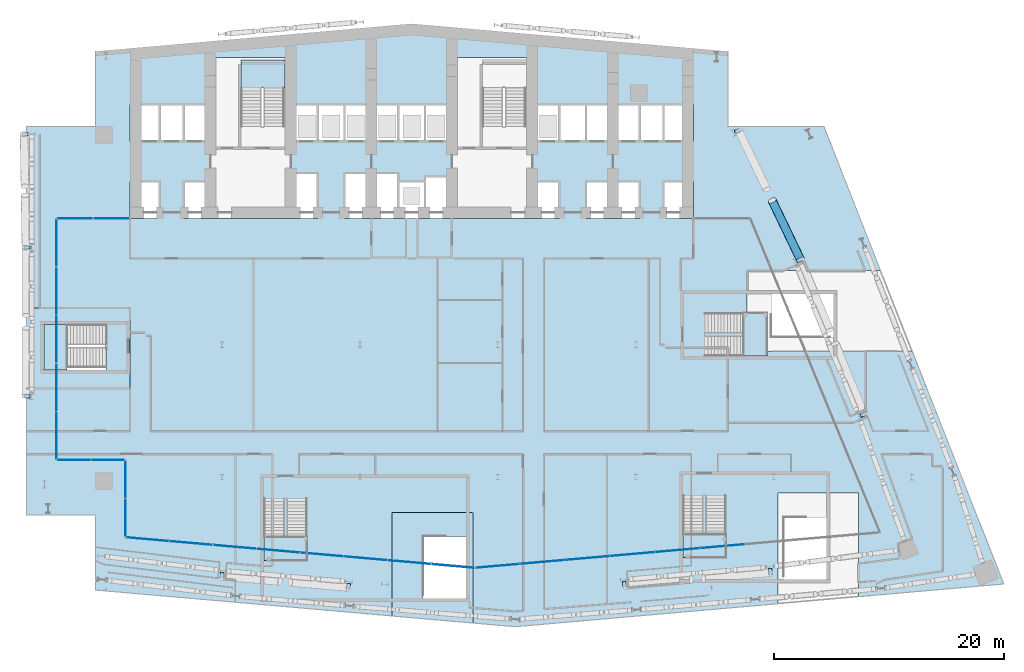
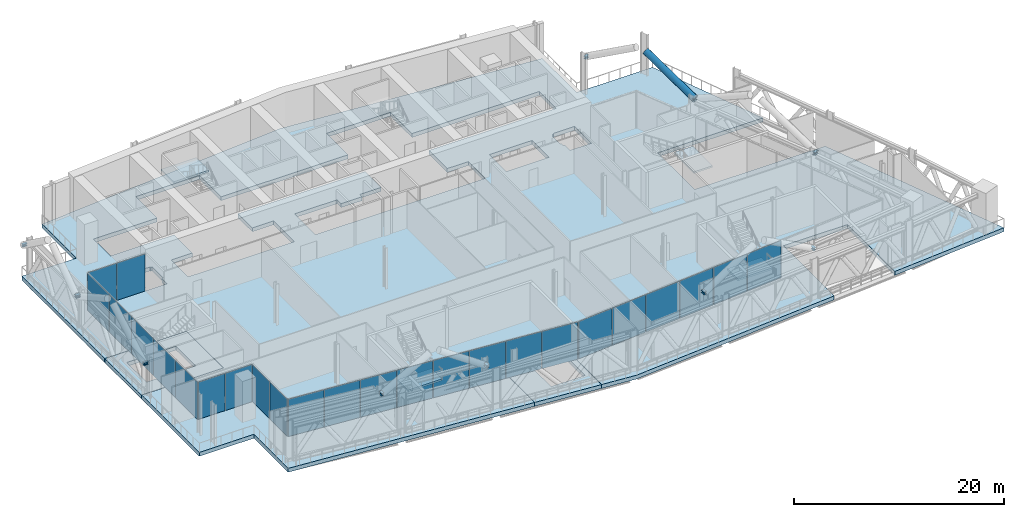
# One storey, part 13 of 42: 25 plates, 11 members, 8 slabs, 11 elements without a shape of their own.
"""IFC4 building model written with IfcOpenShell, lengths in metres."""

from ifc_helpers import new_model, si_unit, direction, frame, origin, origin_2d, place, context, subcontext, project, spatial, polyline, rectangle, hollow_circle, i_section, outline, extrude, material, layer, layer_set, material_profile, profile_set, type_object, element, aggregate, save


model = new_model("IFC4")

# Units and contexts
model_context = context("Model", 3, precision=1e-05, world=origin(), true_north=direction((0.0, 1.0)))
body_context = subcontext(model_context, "Body", "Model", "MODEL_VIEW")
ifc_project = project(units=[si_unit("LENGTHUNIT", "METRE"), si_unit("AREAUNIT", "SQUARE_METRE"), si_unit("VOLUMEUNIT", "CUBIC_METRE"), si_unit("PLANEANGLEUNIT", "RADIAN"), si_unit("MASSUNIT", "GRAM", prefix="KILO")], contexts=[model_context])

# Site, building, storey
site_placement = place(None, origin())
site = spatial("IfcSite", under=ifc_project, at=site_placement, CompositionType="ELEMENT")
building_placement = place(site_placement, origin())
building = spatial("IfcBuilding", under=site, at=building_placement, Name="Wharfspan Tower", CompositionType="ELEMENT")
storey_placement = place(building_placement, frame((0.0, 0.0, 147.100098)))
storey = spatial("IfcBuildingStorey", under=building, at=storey_placement, Name="L35", CompositionType="ELEMENT", Elevation=147.100098)

# Members
ifc_material_1 = material(Name="Steel S355J2", Category="steel")
ifc_material_profile_1 = material_profile(ifc_material_1, i_section(OverallWidth=0.300049, OverallDepth=0.300049, WebThickness=0.010986, FlangeThickness=0.019043, FilletRadius=0.0271, at=origin_2d()))
ifc_profile_set_1 = profile_set([ifc_material_profile_1], Name="Steel S355J2")
member_type_1 = type_object("IfcMemberType", Name="Brace node stub HEB 300", PredefinedType="STRUT", material=ifc_profile_set_1)
for number, where, z_axis, x_axis, name in (
    (1, (24.026123, 3.212158, 4.099854), (-0.086921, -0.996215, 0.0), (0.996215, -0.086921, 0.0), "Brace node stub L36 S1 A"),
    (2, (35.026123, 2.249756, 4.099854), (-0.086921, -0.996215, 0.0), (0.996215, -0.086921, 0.0), "Brace node stub L36 S1 B"),
):
    element("IfcMember", number, at=place(storey_placement, frame(where, z_axis=z_axis, x_axis=x_axis)), inside=storey, type_object=member_type_1, Name=name, PredefinedType="STRUT", context=body_context, shape_type="SweptSolid", body=[
        extrude(i_section(OverallWidth=0.300049, OverallDepth=0.300049, WebThickness=0.010986, FlangeThickness=0.019043, FilletRadius=0.0271, at=origin_2d()), origin(), (0.0, 0.0, 1.0), 0.505615),
    ])
member_1_placement = place(storey_placement, frame((58.973877, 2.424561, 4.099854), z_axis=(0.086963, -0.996212, 0.0), x_axis=(0.996212, 0.086963, 0.0)))
element("IfcMember", 3, at=member_1_placement, inside=storey, type_object=member_type_1, Name="Brace node stub L36 S2 A", PredefinedType="STRUT", context=body_context, shape_type="SweptSolid", body=[
    extrude(i_section(OverallWidth=0.300049, OverallDepth=0.300049, WebThickness=0.010986, FlangeThickness=0.019043, FilletRadius=0.0271, at=origin_2d()), origin(), (0.0, 0.0, 1.0), 0.505371),
])
for number, where, z_axis, x_axis, name in (
    (4, (71.675049, 3.535889, 4.099854), (0.086921, -0.996215, 0.0), (0.996215, 0.086921, 0.0), "Brace node stub L36 S2 B"),
    (5, (7.300537, 31.466553, 4.099854), (-1.0, 0.0, 0.0), (0.0, -1.0, 0.0), "Brace node stub L36 W A"),
    (6, (7.300537, 18.533447, 4.099854), (-1.0, 0.0, 0.0), (0.0, -1.0, 0.0), "Brace node stub L36 W B"),
    (7, (7.143555, 41.333008, 4.099854), (-1.0, 0.0, 0.0), (0.0, -1.0, 0.0), "Brace node stub L36 W A"),
    (8, (79.547852, 16.818604, 4.099854), (0.924358, 0.381527, 0.0), (-0.381527, 0.924358, 0.0), "Brace node stub L36 E A"),
    (9, (73.991943, 30.276367, 4.099854), (0.924358, 0.381527, 0.0), (-0.381527, 0.924358, 0.0), "Brace node stub L36 E B"),
    (10, (68.610107, 41.507324, 4.099854), (0.924187, 0.381939, 0.0), (-0.381939, 0.924187, 0.0), "Brace node stub L36 E B"),
):
    element("IfcMember", number, at=place(storey_placement, frame(where, z_axis=z_axis, x_axis=x_axis)), inside=storey, type_object=member_type_1, Name=name, PredefinedType="STRUT", context=body_context, shape_type="SweptSolid", body=[
        extrude(i_section(OverallWidth=0.300049, OverallDepth=0.300049, WebThickness=0.010986, FlangeThickness=0.019043, FilletRadius=0.0271, at=origin_2d()), origin(), (0.0, 0.0, 1.0), 0.505615),
    ])
ifc_material_2 = material(Name="Steel S460NH", Category="steel")
ifc_material_profile_2 = material_profile(ifc_material_2, hollow_circle(Radius=0.355469, WallThickness=0.035889, at=origin_2d()))
ifc_profile_set_2 = profile_set([ifc_material_profile_2], Name="Steel S460NH")
member_type_2 = type_object("IfcMemberType", Name="Mega brace CHS 711x36", PredefinedType="BRACE", material=ifc_profile_set_2)
member_2_placement = place(storey_placement, frame((74.320557, 30.411865, 4.099854), z_axis=(-0.374119, 0.780731, 0.500494), x_axis=(-0.90181, -0.432137, -3e-06)))
element("IfcMember", 11, at=member_2_placement, inside=storey, type_object=member_type_2, Name="Mega brace E6 L36 part 1", PredefinedType="BRACE", context=body_context, shape_type="SweptSolid", body=[
    extrude(hollow_circle(Radius=0.355469, WallThickness=0.035889, at=origin_2d()), origin(), (0.0, 0.0, 1.0), 6.581787),
])

# Curtain wall, plates
ifc_material_3 = material(Name="Aluminium 6063-T6", Category="aluminium")
curtain_wall_type = type_object("IfcCurtainWallType", Name="CURTAIN WALL BAND RECESS", PredefinedType="NOTDEFINED", material=ifc_material_3)
curtain_wall_1_placement = place(storey_placement, origin())
curtain_wall_1 = element("IfcCurtainWall", 12, at=curtain_wall_1_placement, inside=storey, type_object=curtain_wall_type, Name="Recess glazing R1", PredefinedType="NOTDEFINED")
ifc_material_4 = material(Name="Glass clear low-iron double glazing", Category="glass")
ifc_layer_1 = layer(ifc_material_4, 0.035889)
ifc_layer_set_1 = layer_set([ifc_layer_1], Name="Glass clear low-iron double glazing")
plate_type = type_object("IfcPlateType", Name="GLASS PANEL BAND RECESS 36", PredefinedType="CURTAIN_PANEL", material=ifc_layer_set_1)
plate_1_placement = place(storey_placement, frame((14.084961, 13.0, -0.000244), z_axis=(0.0, 0.0, 1.0), x_axis=(-1.0, 0.0, 0.0)))
plate_1 = element("IfcPlate", 13, at=plate_1_placement, type_object=plate_type, Name="Recess glazing R1 panel 1", PredefinedType="CURTAIN_PANEL", context=body_context, shape_type="SweptSolid", body=[
    extrude(rectangle(XDim=2.909912, YDim=0.035889, at=origin_2d()), origin(), (0.0, 0.0, 1.0), 4.330078),
])
plate_2_placement = place(storey_placement, frame((11.11499, 13.0, -0.000244), z_axis=(0.0, 0.0, 1.0), x_axis=(-1.0, 0.0, 0.0)))
plate_2 = element("IfcPlate", 14, at=plate_2_placement, type_object=plate_type, Name="Recess glazing R1 panel 2", PredefinedType="CURTAIN_PANEL", context=body_context, shape_type="SweptSolid", body=[
    extrude(rectangle(XDim=2.909912, YDim=0.035889, at=origin_2d()), origin(), (0.0, 0.0, 1.0), 4.330078),
])
aggregate(curtain_wall_1, [plate_1, plate_2])

curtain_wall_2_placement = place(storey_placement, origin())
curtain_wall_2 = element("IfcCurtainWall", 15, at=curtain_wall_2_placement, inside=storey, type_object=curtain_wall_type, Name="Recess glazing R2", PredefinedType="NOTDEFINED")
plate_3_placement = place(storey_placement, frame((9.600098, 15.11499, -0.000244), z_axis=(0.0, 0.0, 1.0), x_axis=(0.0, 1.0, 0.0)))
plate_3 = element("IfcPlate", 16, at=plate_3_placement, type_object=plate_type, Name="Recess glazing R2 panel 1", PredefinedType="CURTAIN_PANEL", context=body_context, shape_type="SweptSolid", body=[
    extrude(rectangle(XDim=4.110107, YDim=0.035889, at=origin_2d()), origin(), (0.0, 0.0, 1.0), 4.330078),
])
plate_4_placement = place(storey_placement, frame((9.600098, 19.300049, -0.000244), z_axis=(0.0, 0.0, 1.0), x_axis=(0.0, 1.0, 0.0)))
plate_4 = element("IfcPlate", 17, at=plate_4_placement, type_object=plate_type, Name="Recess glazing R2 panel 2", PredefinedType="CURTAIN_PANEL", context=body_context, shape_type="SweptSolid", body=[
    extrude(rectangle(XDim=4.139893, YDim=0.035889, at=origin_2d()), origin(), (0.0, 0.0, 1.0), 4.330078),
])
plate_5_placement = place(storey_placement, frame((9.600098, 23.5, -0.000244), z_axis=(0.0, 0.0, 1.0), x_axis=(0.0, 1.0, 0.0)))
plate_5 = element("IfcPlate", 18, at=plate_5_placement, type_object=plate_type, Name="Recess glazing R2 panel 3", PredefinedType="CURTAIN_PANEL", context=body_context, shape_type="SweptSolid", body=[
    extrude(rectangle(XDim=4.139893, YDim=0.035889, at=origin_2d()), origin(), (0.0, 0.0, 1.0), 4.330078),
])
plate_6_placement = place(storey_placement, frame((9.600098, 27.699951, -0.000244), z_axis=(0.0, 0.0, 1.0), x_axis=(0.0, 1.0, 0.0)))
plate_6 = element("IfcPlate", 19, at=plate_6_placement, type_object=plate_type, Name="Recess glazing R2 panel 4", PredefinedType="CURTAIN_PANEL", context=body_context, shape_type="SweptSolid", body=[
    extrude(rectangle(XDim=4.139893, YDim=0.035889, at=origin_2d()), origin(), (0.0, 0.0, 1.0), 4.330078),
])
plate_7_placement = place(storey_placement, frame((9.600098, 31.88501, -0.000244), z_axis=(0.0, 0.0, 1.0), x_axis=(0.0, 1.0, 0.0)))
plate_7 = element("IfcPlate", 20, at=plate_7_placement, type_object=plate_type, Name="Recess glazing R2 panel 5", PredefinedType="CURTAIN_PANEL", context=body_context, shape_type="SweptSolid", body=[
    extrude(rectangle(XDim=4.110107, YDim=0.035889, at=origin_2d()), origin(), (0.0, 0.0, 1.0), 4.330078),
])
aggregate(curtain_wall_2, [plate_3, plate_4, plate_5, plate_6, plate_7])

curtain_wall_3_placement = place(storey_placement, origin())
curtain_wall_3 = element("IfcCurtainWall", 21, at=curtain_wall_3_placement, inside=storey, type_object=curtain_wall_type, Name="Recess glazing R3", PredefinedType="NOTDEFINED")
plate_8_placement = place(storey_placement, frame((11.215088, 34.0, -0.000244), z_axis=(0.0, 0.0, 1.0), x_axis=(1.0, 0.0, 0.0)))
plate_8 = element("IfcPlate", 22, at=plate_8_placement, type_object=plate_type, Name="Recess glazing R3 panel 1", PredefinedType="CURTAIN_PANEL", context=body_context, shape_type="SweptSolid", body=[
    extrude(rectangle(XDim=3.110107, YDim=0.035889, at=origin_2d()), origin(), (0.0, 0.0, 1.0), 4.330078),
])
plate_9_placement = place(storey_placement, frame((14.38501, 34.0, -0.000244), z_axis=(0.0, 0.0, 1.0), x_axis=(1.0, 0.0, 0.0)))
plate_9 = element("IfcPlate", 23, at=plate_9_placement, type_object=plate_type, Name="Recess glazing R3 panel 2", PredefinedType="CURTAIN_PANEL", context=body_context, shape_type="SweptSolid", body=[
    extrude(rectangle(XDim=3.110107, YDim=0.035889, at=origin_2d()), origin(), (0.0, 0.0, 1.0), 4.330078),
])
aggregate(curtain_wall_3, [plate_8, plate_9])

curtain_wall_4_placement = place(storey_placement, origin())
curtain_wall_4 = element("IfcCurtainWall", 24, at=curtain_wall_4_placement, inside=storey, type_object=curtain_wall_type, Name="Recess glazing R6", PredefinedType="NOTDEFINED")
plate_10_placement = place(storey_placement, frame((67.538818, 5.482178, -0.000244), z_axis=(0.0, 0.0, 1.0), x_axis=(-0.996198, -0.087156, 0.0)))
plate_10 = element("IfcPlate", 25, at=plate_10_placement, type_object=plate_type, Name="Recess glazing R6 panel 4", PredefinedType="CURTAIN_PANEL", context=body_context, shape_type="SweptSolid", body=[
    extrude(rectangle(XDim=3.871094, YDim=0.035889, at=origin_2d()), origin(), (0.0, 0.0, 1.0), 4.330078),
])
plate_11_placement = place(storey_placement, frame((63.622559, 5.139648, -0.000244), z_axis=(0.0, 0.0, 1.0), x_axis=(-0.996198, -0.087156, 0.0)))
plate_11 = element("IfcPlate", 26, at=plate_11_placement, type_object=plate_type, Name="Recess glazing R6 panel 5", PredefinedType="CURTAIN_PANEL", context=body_context, shape_type="SweptSolid", body=[
    extrude(rectangle(XDim=3.871094, YDim=0.035889, at=origin_2d()), origin(), (0.0, 0.0, 1.0), 4.330078),
])
plate_12_placement = place(storey_placement, frame((59.706543, 4.797119, -0.000244), z_axis=(0.0, 0.0, 1.0), x_axis=(-0.996198, -0.087156, 0.0)))
plate_12 = element("IfcPlate", 27, at=plate_12_placement, type_object=plate_type, Name="Recess glazing R6 panel 6", PredefinedType="CURTAIN_PANEL", context=body_context, shape_type="SweptSolid", body=[
    extrude(rectangle(XDim=3.871094, YDim=0.035889, at=origin_2d()), origin(), (0.0, 0.0, 1.0), 4.330078),
])
plate_13_placement = place(storey_placement, frame((55.790283, 4.454346, -0.000244), z_axis=(0.0, 0.0, 1.0), x_axis=(-0.996198, -0.087156, 0.0)))
plate_13 = element("IfcPlate", 28, at=plate_13_placement, type_object=plate_type, Name="Recess glazing R6 panel 7", PredefinedType="CURTAIN_PANEL", context=body_context, shape_type="SweptSolid", body=[
    extrude(rectangle(XDim=3.871094, YDim=0.035889, at=origin_2d()), origin(), (0.0, 0.0, 1.0), 4.330078),
])
plate_14_placement = place(storey_placement, frame((51.874268, 4.111816, -0.000244), z_axis=(0.0, 0.0, 1.0), x_axis=(-0.996198, -0.087156, 0.0)))
plate_14 = element("IfcPlate", 29, at=plate_14_placement, type_object=plate_type, Name="Recess glazing R6 panel 8", PredefinedType="CURTAIN_PANEL", context=body_context, shape_type="SweptSolid", body=[
    extrude(rectangle(XDim=3.871094, YDim=0.035889, at=origin_2d()), origin(), (0.0, 0.0, 1.0), 4.330078),
])
plate_15_placement = place(storey_placement, frame((47.9729, 3.770508, -0.000244), z_axis=(0.0, 0.0, 1.0), x_axis=(-0.996198, -0.087156, 0.0)))
plate_15 = element("IfcPlate", 30, at=plate_15_placement, type_object=plate_type, Name="Recess glazing R6 panel 9", PredefinedType="CURTAIN_PANEL", context=body_context, shape_type="SweptSolid", body=[
    extrude(rectangle(XDim=3.841064, YDim=0.035889, at=origin_2d()), origin(), (0.0, 0.0, 1.0), 4.330078),
])
aggregate(curtain_wall_4, [plate_10, plate_11, plate_12, plate_13, plate_14, plate_15])

curtain_wall_5_placement = place(storey_placement, origin())
curtain_wall_5 = element("IfcCurtainWall", 31, at=curtain_wall_5_placement, inside=storey, type_object=curtain_wall_type, Name="Recess glazing R7", PredefinedType="NOTDEFINED")
plate_16_placement = place(storey_placement, frame((44.084961, 3.765381, -0.000244), z_axis=(0.0, 0.0, 1.0), x_axis=(-0.996198, 0.087156, 0.0)))
plate_16 = element("IfcPlate", 32, at=plate_16_placement, type_object=plate_type, Name="Recess glazing R7 panel 1", PredefinedType="CURTAIN_PANEL", context=body_context, shape_type="SweptSolid", body=[
    extrude(rectangle(XDim=3.724609, YDim=0.035889, at=origin_2d()), origin(), (0.0, 0.0, 1.0), 4.330078),
])
plate_17_placement = place(storey_placement, frame((40.300049, 4.09668, -0.000244), z_axis=(0.0, 0.0, 1.0), x_axis=(-0.996198, 0.087156, 0.0)))
plate_17 = element("IfcPlate", 33, at=plate_17_placement, type_object=plate_type, Name="Recess glazing R7 panel 2", PredefinedType="CURTAIN_PANEL", context=body_context, shape_type="SweptSolid", body=[
    extrude(rectangle(XDim=3.754395, YDim=0.035889, at=origin_2d()), origin(), (0.0, 0.0, 1.0), 4.330078),
])
plate_18_placement = place(storey_placement, frame((36.5, 4.428955, -0.000244), z_axis=(0.0, 0.0, 1.0), x_axis=(-0.996198, 0.087156, 0.0)))
plate_18 = element("IfcPlate", 34, at=plate_18_placement, type_object=plate_type, Name="Recess glazing R7 panel 3", PredefinedType="CURTAIN_PANEL", context=body_context, shape_type="SweptSolid", body=[
    extrude(rectangle(XDim=3.754395, YDim=0.035889, at=origin_2d()), origin(), (0.0, 0.0, 1.0), 4.330078),
])
plate_19_placement = place(storey_placement, frame((32.699951, 4.761475, -0.000244), z_axis=(0.0, 0.0, 1.0), x_axis=(-0.996198, 0.087156, 0.0)))
plate_19 = element("IfcPlate", 35, at=plate_19_placement, type_object=plate_type, Name="Recess glazing R7 panel 4", PredefinedType="CURTAIN_PANEL", context=body_context, shape_type="SweptSolid", body=[
    extrude(rectangle(XDim=3.754395, YDim=0.035889, at=origin_2d()), origin(), (0.0, 0.0, 1.0), 4.330078),
])
plate_20_placement = place(storey_placement, frame((28.899902, 5.093994, -0.000244), z_axis=(0.0, 0.0, 1.0), x_axis=(-0.996198, 0.087156, 0.0)))
plate_20 = element("IfcPlate", 36, at=plate_20_placement, type_object=plate_type, Name="Recess glazing R7 panel 5", PredefinedType="CURTAIN_PANEL", context=body_context, shape_type="SweptSolid", body=[
    extrude(rectangle(XDim=3.754395, YDim=0.035889, at=origin_2d()), origin(), (0.0, 0.0, 1.0), 4.330078),
])
plate_21_placement = place(storey_placement, frame((25.100098, 5.42627, -0.000244), z_axis=(0.0, 0.0, 1.0), x_axis=(-0.996198, 0.087156, 0.0)))
plate_21 = element("IfcPlate", 37, at=plate_21_placement, type_object=plate_type, Name="Recess glazing R7 panel 6", PredefinedType="CURTAIN_PANEL", context=body_context, shape_type="SweptSolid", body=[
    extrude(rectangle(XDim=3.754395, YDim=0.035889, at=origin_2d()), origin(), (0.0, 0.0, 1.0), 4.330078),
])
plate_22_placement = place(storey_placement, frame((21.300049, 5.758789, -0.000244), z_axis=(0.0, 0.0, 1.0), x_axis=(-0.996198, 0.087156, 0.0)))
plate_22 = element("IfcPlate", 38, at=plate_22_placement, type_object=plate_type, Name="Recess glazing R7 panel 7", PredefinedType="CURTAIN_PANEL", context=body_context, shape_type="SweptSolid", body=[
    extrude(rectangle(XDim=3.754395, YDim=0.035889, at=origin_2d()), origin(), (0.0, 0.0, 1.0), 4.330078),
])
plate_23_placement = place(storey_placement, frame((17.514893, 6.090088, -0.000244), z_axis=(0.0, 0.0, 1.0), x_axis=(-0.996198, 0.087156, 0.0)))
plate_23 = element("IfcPlate", 39, at=plate_23_placement, type_object=plate_type, Name="Recess glazing R7 panel 8", PredefinedType="CURTAIN_PANEL", context=body_context, shape_type="SweptSolid", body=[
    extrude(rectangle(XDim=3.724609, YDim=0.035889, at=origin_2d()), origin(), (0.0, 0.0, 1.0), 4.330078),
])
aggregate(curtain_wall_5, [plate_16, plate_17, plate_18, plate_19, plate_20, plate_21, plate_22, plate_23])

curtain_wall_6_placement = place(storey_placement, origin())
curtain_wall_6 = element("IfcCurtainWall", 40, at=curtain_wall_6_placement, inside=storey, type_object=curtain_wall_type, Name="Recess glazing R8", PredefinedType="NOTDEFINED")
plate_24_placement = place(storey_placement, frame((15.600098, 7.958252, -0.000244), z_axis=(0.0, 0.0, 1.0), x_axis=(0.0, 1.0, 0.0)))
plate_24 = element("IfcPlate", 41, at=plate_24_placement, type_object=plate_type, Name="Recess glazing R8 panel 1", PredefinedType="CURTAIN_PANEL", context=body_context, shape_type="SweptSolid", body=[
    extrude(rectangle(XDim=3.28125, YDim=0.035889, at=origin_2d()), origin(), (0.0, 0.0, 1.0), 4.330078),
])
plate_25_placement = place(storey_placement, frame((15.600098, 11.299316, -0.000244), z_axis=(0.0, 0.0, 1.0), x_axis=(0.0, 1.0, 0.0)))
plate_25 = element("IfcPlate", 42, at=plate_25_placement, type_object=plate_type, Name="Recess glazing R8 panel 2", PredefinedType="CURTAIN_PANEL", context=body_context, shape_type="SweptSolid", body=[
    extrude(rectangle(XDim=3.28125, YDim=0.035889, at=origin_2d()), origin(), (0.0, 0.0, 1.0), 4.330078),
])
aggregate(curtain_wall_6, [plate_24, plate_25])

# Slabs
ifc_material_5 = material(Name="Concrete C40/50", Category="concrete")
ifc_layer_2 = layer(ifc_material_5, 0.449951)
ifc_layer_set_2 = layer_set([ifc_layer_2], Name="Concrete C40/50")
slab_type_1 = type_object("IfcSlabType", Name="Post-tensioned band slab 450", PredefinedType="FLOOR", material=ifc_layer_set_2)
slab_1_placement = place(storey_placement, frame((0.0, 0.0, -0.450195)))
element("IfcSlab", 43, at=slab_1_placement, inside=storey, type_object=slab_type_1, Name="Floor slab L35", PredefinedType="FLOOR", context=body_context, shape_type="SweptSolid", body=[
    extrude(outline(polyline([(38.800293, -0.582275), (38.800293, 8.427002), (45.820312, 8.427002), (45.820312, -1.196289), (49.5, -1.518311), (72.355957, 0.481445), (72.355957, 10.104736), (79.375977, 10.104736), (79.375977, 1.095459), (92.0, 2.199951), (84.04541, 22.439941), (69.68042, 22.439941), (69.68042, 29.459961), (81.286621, 29.459961), (76.358154, 42.0), (68.0, 42.0), (68.0, 48.524902), (40.5, 50.930908), (13.0, 48.524902), (13.0, 42.0), (7.0, 42.0), (7.0, 26.209961), (16.01001, 26.209961), (16.01001, 19.189941), (7.0, 19.189941), (7.0, 8.199951), (13.0, 8.199951), (13.0, 1.675049), (38.800293, -0.582275)]), holes=[polyline([(15.98999, 40.689941), (15.98999, 43.909912), (20.656738, 43.909912), (20.676758, 43.909912), (22.98999, 43.909912), (22.98999, 48.01001), (30.01001, 48.01001), (30.01001, 43.909912), (43.98999, 43.909912), (43.98999, 48.01001), (51.01001, 48.01001), (51.01001, 43.909912), (65.01001, 43.909912), (65.01001, 40.689941), (51.01001, 40.689941), (51.01001, 37.209961), (53.343262, 37.209961), (53.343262, 33.98999), (34.656738, 33.98999), (34.656738, 37.959961), (39.343262, 37.959961), (39.343262, 37.209961), (41.656738, 37.209961), (41.656738, 37.659912), (43.98999, 37.659912), (43.98999, 40.689941), (30.01001, 40.689941), (30.01001, 37.959961), (32.343262, 37.959961), (32.343262, 33.98999), (20.656738, 33.98999), (20.656738, 37.209961), (22.98999, 37.209961), (22.98999, 40.689941), (20.676758, 40.689941), (20.656738, 40.689941), (15.98999, 40.689941)]), polyline([(62.48999, 35.389893), (62.36499, 35.389893), (62.36499, 36.909912), (62.48999, 36.909912), (62.48999, 37.110107), (62.656738, 37.110107), (62.656738, 37.209961), (65.01001, 37.209961), (65.01001, 33.98999), (62.656738, 33.98999), (62.656738, 34.98999), (62.48999, 34.98999), (62.48999, 35.389893)]), polyline([(55.656738, 33.98999), (55.656738, 37.209961), (60.343262, 37.209961), (60.343262, 33.98999), (55.656738, 33.98999)]), polyline([(18.51001, 34.98999), (18.343262, 34.98999), (18.343262, 33.98999), (15.98999, 33.98999), (15.98999, 37.209961), (18.343262, 37.209961), (18.343262, 37.110107), (18.51001, 37.110107), (18.51001, 34.98999)])]), origin(), (0.0, 0.0, 1.0), 0.450195),
])
ifc_layer_3 = layer(ifc_material_5, 0.449951)
ifc_layer_set_3 = layer_set([ifc_layer_3], Name="Concrete C40/50")
slab_type_2 = type_object("IfcSlabType", Name="Post-tensioned flat slab 450", PredefinedType="FLOOR", material=ifc_layer_set_3)
slab_2_placement = place(storey_placement, frame((0.0, 0.0, -0.450195)))
element("IfcSlab", 44, at=slab_2_placement, inside=storey, type_object=slab_type_2, Name="Core floor slab L35 part 1", PredefinedType="FLOOR", context=body_context, shape_type="SweptSolid", body=[
    extrude(outline(polyline([(16.0, 24.300049), (16.0, 24.875), (16.0, 25.074951), (16.0, 26.199951), (7.0, 26.199951), (7.0, 19.199951), (16.0, 19.199951), (16.0, 20.524902), (16.0, 20.725098), (16.0, 21.5), (16.008057, 21.5), (16.008057, 24.300049), (16.0, 24.300049)]), holes=[polyline([(13.9021, 20.824951), (13.9021, 20.824707), (13.9021, 20.824707), (13.901855, 20.824463), (13.901855, 20.824219), (13.901855, 20.824219), (13.901611, 20.823975), (13.901611, 20.82373), (13.901367, 20.823486), (13.901367, 20.823486), (13.901123, 20.823242), (13.900879, 20.823242), (13.900879, 20.823242), (13.900635, 20.822998), (13.900391, 20.822998), (13.900146, 20.822998), (13.899902, 20.822998), (8.5, 20.822998), (8.499756, 20.822998), (8.499512, 20.822998), (8.499512, 20.822998), (8.499268, 20.823242), (8.499023, 20.823242), (8.498779, 20.823242), (8.498779, 20.823486), (8.498535, 20.823486), (8.498535, 20.82373), (8.498291, 20.823975), (8.498291, 20.824219), (8.498291, 20.824219), (8.498047, 20.824463), (8.498047, 20.824707), (8.498047, 20.824707), (8.498047, 20.824951), (8.498047, 24.574951), (8.498047, 24.575195), (8.498047, 24.575439), (8.498047, 24.575684), (8.498291, 24.575684), (8.498291, 24.575928), (8.498291, 24.576172), (8.498535, 24.576416), (8.498535, 24.576416), (8.498779, 24.576416), (8.498779, 24.57666), (8.499023, 24.576904), (8.499268, 24.576904), (8.499512, 24.576904), (8.499512, 24.576904), (8.499756, 24.576904), (8.5, 24.576904), (13.899902, 24.576904), (13.900146, 24.576904), (13.900391, 24.576904), (13.900635, 24.576904), (13.900879, 24.576904), (13.900879, 24.576904), (13.901123, 24.57666), (13.901367, 24.576416), (13.901367, 24.576416), (13.901611, 24.576416), (13.901611, 24.576172), (13.901855, 24.575928), (13.901855, 24.575684), (13.901855, 24.575684), (13.9021, 24.575439), (13.9021, 24.575195), (13.9021, 24.574951), (13.9021, 20.824951)])]), origin(), (0.0, 0.0, 1.0), 0.450195),
])
slab_3_placement = place(storey_placement, frame((0.0, 0.0, -0.450195)))
element("IfcSlab", 45, at=slab_3_placement, inside=storey, type_object=slab_type_2, Name="Core floor slab L35 part 3", PredefinedType="FLOOR", context=body_context, shape_type="SweptSolid", body=[
    extrude(outline(polyline([(45.810303, 8.416992), (45.5354, 8.416992), (41.185303, 8.416992), (38.810303, 8.416992), (38.810303, -0.583008), (45.810303, -1.195557), (45.810303, 8.416992)]), holes=[polyline([(45.235352, 6.319092), (45.235596, 6.319092), (45.235596, 6.318848), (45.23584, 6.318848), (45.236084, 6.318848), (45.236084, 6.318604), (45.236328, 6.318604), (45.236572, 6.318604), (45.236816, 6.318359), (45.236816, 6.318115), (45.236816, 6.318115), (45.237061, 6.317871), (45.237061, 6.317627), (45.237305, 6.317383), (45.237305, 6.317383), (45.237305, 6.317139), (45.237305, 6.316895), (45.237305, 0.916992), (45.237305, 0.916748), (45.237305, 0.916504), (45.237305, 0.916504), (45.237061, 0.91626), (45.237061, 0.916016), (45.236816, 0.916016), (45.236816, 0.915771), (45.236816, 0.915527), (45.236572, 0.915283), (45.236328, 0.915283), (45.236084, 0.915283), (45.236084, 0.915039), (45.23584, 0.915039), (45.235596, 0.915039), (45.235596, 0.915039), (45.235352, 0.915039), (41.485352, 0.915039), (41.485107, 0.915039), (41.484863, 0.915039), (41.484619, 0.915039), (41.484619, 0.915039), (41.484375, 0.915283), (41.484131, 0.915283), (41.483887, 0.915283), (41.483887, 0.915527), (41.483643, 0.915771), (41.483643, 0.916016), (41.483398, 0.916016), (41.483398, 0.91626), (41.483398, 0.916504), (41.483398, 0.916504), (41.483398, 0.916748), (41.483398, 0.916992), (41.483398, 6.316895), (41.483398, 6.317139), (41.483398, 6.317383), (41.483398, 6.317383), (41.483398, 6.317627), (41.483398, 6.317871), (41.483643, 6.318115), (41.483643, 6.318115), (41.483887, 6.318359), (41.483887, 6.318604), (41.484131, 6.318604), (41.484375, 6.318604), (41.484619, 6.318848), (41.484619, 6.318848), (41.484863, 6.318848), (41.485107, 6.319092), (41.485352, 6.319092), (45.235352, 6.319092)])]), origin(), (0.0, 0.0, 1.0), 0.450195),
])

# Stair, slab
stair_type = type_object("IfcStairType", Name="Half-turn stair 26 risers 185 mm", PredefinedType="HALF_TURN_STAIR", material=ifc_material_5)
stair_1_placement = place(storey_placement, origin())
stair_1 = element("IfcStair", 46, at=stair_1_placement, inside=storey, type_object=stair_type, Name="L35 stair ST1", PredefinedType="HALF_TURN_STAIR")
ifc_layer_4 = layer(ifc_material_5, 0.199951)
ifc_layer_set_4 = layer_set([ifc_layer_4], Name="Concrete C40/50")
slab_type_3 = type_object("IfcSlabType", Name="Stair landing 200", PredefinedType="LANDING", material=ifc_layer_set_4)
slab_4_placement = place(storey_placement, frame((0.0, 0.0, 2.199707)))
slab_4 = element("IfcSlab", 47, at=slab_4_placement, type_object=slab_type_3, Name="ST1 landing 1", PredefinedType="LANDING", context=body_context, shape_type="SweptSolid", body=[
    extrude(outline(polyline([(25.649902, 45.360107), (29.5, 45.360107), (29.5, 47.783691), (25.649902, 47.783691), (25.649902, 45.360107)])), origin(), (0.0, 0.0, 1.0), 0.200195),
])
aggregate(stair_1, [slab_4])

stair_2_placement = place(storey_placement, origin())
stair_2 = element("IfcStair", 48, at=stair_2_placement, inside=storey, type_object=stair_type, Name="L35 stair ST3", PredefinedType="HALF_TURN_STAIR")
slab_5_placement = place(storey_placement, frame((0.0, 0.0, 2.199707)))
slab_5 = element("IfcSlab", 49, at=slab_5_placement, type_object=slab_type_3, Name="ST3 landing 1", PredefinedType="LANDING", context=body_context, shape_type="SweptSolid", body=[
    extrude(outline(polyline([(8.5, 20.824951), (10.540039, 20.824951), (10.540039, 24.774902), (8.5, 24.774902), (8.5, 20.824951)])), origin(), (0.0, 0.0, 1.0), 0.200195),
])
aggregate(stair_2, [slab_5])

stair_3_placement = place(storey_placement, origin())
stair_3 = element("IfcStair", 50, at=stair_3_placement, inside=storey, type_object=stair_type, Name="L35 stair ST4", PredefinedType="HALF_TURN_STAIR")
slab_6_placement = place(storey_placement, frame((0.0, 0.0, 2.199707)))
slab_6 = element("IfcSlab", 51, at=slab_6_placement, type_object=slab_type_3, Name="ST4 landing 1", PredefinedType="LANDING", context=body_context, shape_type="SweptSolid", body=[
    extrude(outline(polyline([(27.664307, 6.27417), (27.664307, 4.234375), (31.414307, 4.234375), (31.414307, 6.27417), (27.664307, 6.27417)])), origin(), (0.0, 0.0, 1.0), 0.200195),
])
aggregate(stair_3, [slab_6])

stair_4_placement = place(storey_placement, origin())
stair_4 = element("IfcStair", 52, at=stair_4_placement, inside=storey, type_object=stair_type, Name="L35 stair ST5", PredefinedType="HALF_TURN_STAIR")
slab_7_placement = place(storey_placement, frame((0.0, 0.0, 2.199707)))
slab_7 = element("IfcSlab", 53, at=slab_7_placement, type_object=slab_type_3, Name="ST5 landing 1", PredefinedType="LANDING", context=body_context, shape_type="SweptSolid", body=[
    extrude(outline(polyline([(64.086426, 6.523682), (64.086426, 4.483643), (67.836426, 4.483643), (67.836426, 6.523682), (64.086426, 6.523682)])), origin(), (0.0, 0.0, 1.0), 0.200195),
])
aggregate(stair_4, [slab_7])

stair_5_placement = place(storey_placement, origin())
stair_5 = element("IfcStair", 54, at=stair_5_placement, inside=storey, type_object=stair_type, Name="L35 stair ST6", PredefinedType="HALF_TURN_STAIR")
slab_8_placement = place(storey_placement, frame((0.0, 0.0, 2.199707)))
slab_8 = element("IfcSlab", 55, at=slab_8_placement, type_object=slab_type_3, Name="ST6 landing 1", PredefinedType="LANDING", context=body_context, shape_type="SweptSolid", body=[
    extrude(outline(polyline([(69.364502, 22.024902), (71.404541, 22.024902), (71.404541, 25.774902), (69.364502, 25.774902), (69.364502, 22.024902)])), origin(), (0.0, 0.0, 1.0), 0.200195),
])
aggregate(stair_5, [slab_8])

save(model, "model.ifc")
